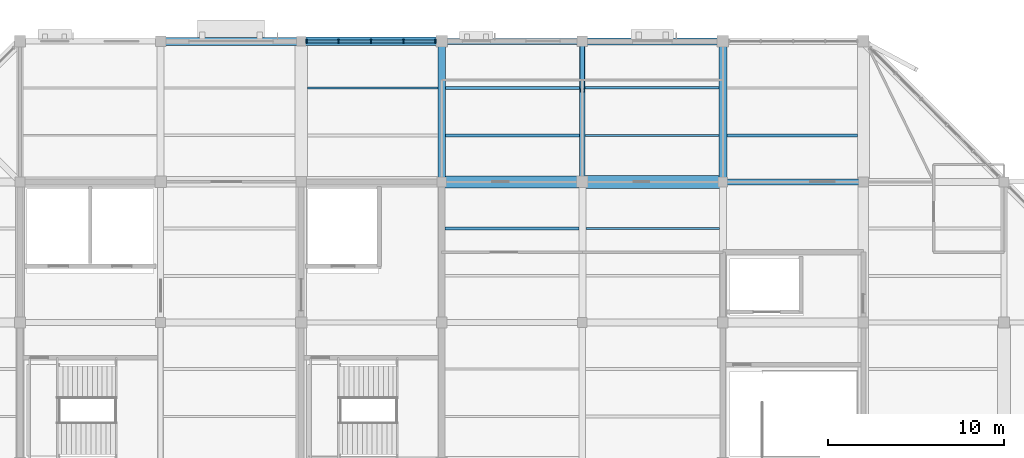
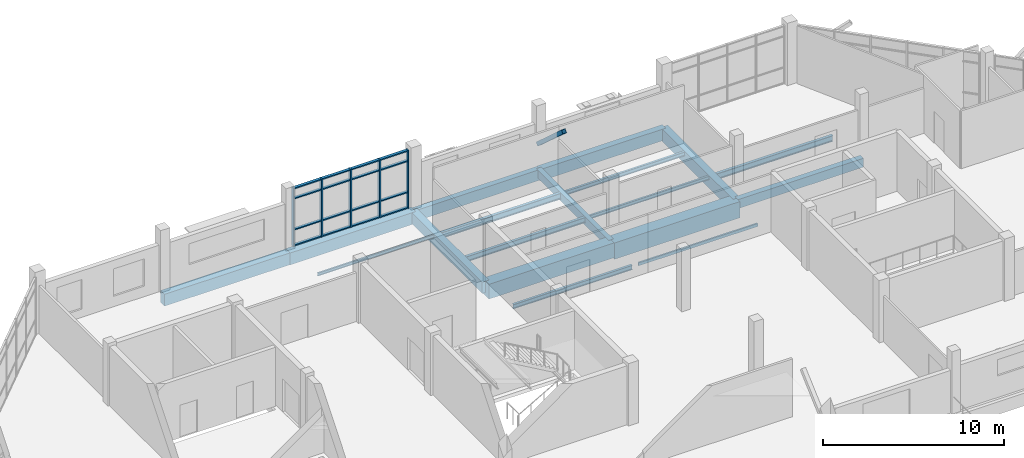
# One storey, part 21 of 72: 22 members, 18 beams, 1 element without a shape of its own.
"""IFC4 building model written with IfcOpenShell, lengths in metres."""

from ifc_helpers import new_model, si_unit, direction, frame, origin, origin_2d, place, context, subcontext, project, spatial, rectangle, hollow_rectangle, i_section, extrude, material, material_profile, profile_set, type_object, element, aggregate, save


model = new_model("IFC4")

# Units and contexts
model_context = context("Model", 3, precision=1e-05, world=origin(), true_north=direction((0.0, 1.0)))
body_context = subcontext(model_context, "Body", "Model", "MODEL_VIEW")
ifc_project = project(units=[si_unit("LENGTHUNIT", "METRE"), si_unit("AREAUNIT", "SQUARE_METRE"), si_unit("VOLUMEUNIT", "CUBIC_METRE"), si_unit("PLANEANGLEUNIT", "RADIAN"), si_unit("MASSUNIT", "GRAM", prefix="KILO")], contexts=[model_context])

# Site, building, storey
site_placement = place(None, origin())
site = spatial("IfcSite", under=ifc_project, at=site_placement, CompositionType="ELEMENT")
building_placement = place(site_placement, origin())
building = spatial("IfcBuilding", under=site, at=building_placement, Name="Tenunan Teduh Sports Hall", CompositionType="ELEMENT")
storey_placement = place(building_placement, frame((0.0, 0.0, 15.0)))
storey = spatial("IfcBuildingStorey", under=building, at=storey_placement, Name="L03", CompositionType="ELEMENT", Elevation=15.0)

# Beams
ifc_material_1 = material(Name="Concrete C40/50", Category="concrete")
ifc_material_profile_1 = material_profile(ifc_material_1, rectangle(XDim=0.300048828125, YDim=0.550048828125, at=origin_2d()), Name="RCB 300x550")
ifc_profile_set_1 = profile_set([ifc_material_profile_1], Name="Concrete C40/50")
beam_type_1 = type_object("IfcBeamType", Name="BM-RC-300x550", PredefinedType="BEAM", material=ifc_profile_set_1)
beam_1_placement = place(storey_placement, frame((46.0, 110.0, -0.514892578125), z_axis=(0.0, 1.0, 0.0), x_axis=(-1.0, 0.0, 0.0)))
element("IfcBeam", 1, at=beam_1_placement, inside=storey, type_object=beam_type_1, Name="BM-B-02-L03-1917", PredefinedType="BEAM", context=body_context, shape_type="SweptSolid", body=[
    extrude(rectangle(XDim=0.300048828125, YDim=0.550048828125, at=origin_2d()), origin(), (0.0, 0.0, 1.0), 8.0),
])
ifc_material_2 = material(Name="Concrete C40/50", Category="concrete")
ifc_material_profile_2 = material_profile(ifc_material_2, rectangle(XDim=0.35009765625, YDim=0.60009765625, at=origin_2d()), Name="RCB 350x600")
ifc_profile_set_2 = profile_set([ifc_material_profile_2], Name="Concrete C40/50")
beam_type_2 = type_object("IfcBeamType", Name="BM-RC-350x600", PredefinedType="BEAM", material=ifc_profile_set_2)
beam_2_placement = place(storey_placement, frame((54.0, 110.0, -0.5400390625), z_axis=(1.0, 0.0, 0.0), x_axis=(0.0, 1.0, 0.0)))
element("IfcBeam", 2, at=beam_2_placement, inside=storey, type_object=beam_type_2, Name="BM-B-04-L03-1868", PredefinedType="BEAM", context=body_context, shape_type="SweptSolid", body=[
    extrude(rectangle(XDim=0.35009765625, YDim=0.60009765625, at=origin_2d()), origin(), (0.0, 0.0, 1.0), 8.0),
])
ifc_material_3 = material(Name="Concrete C40/50", Category="concrete")
ifc_material_profile_3 = material_profile(ifc_material_3, rectangle(XDim=0.449951171875, YDim=0.75, at=origin_2d()), Name="RCB 450x750")
ifc_profile_set_3 = profile_set([ifc_material_profile_3], Name="Concrete C40/50")
beam_type_3 = type_object("IfcBeamType", Name="BM-RC-450x750", PredefinedType="BEAM", material=ifc_profile_set_3)
beam_3_placement = place(storey_placement, frame((38.0, 110.0, -0.614990234375), z_axis=(0.0, 1.0, 0.0), x_axis=(-1.0, 0.0, 0.0)))
element("IfcBeam", 3, at=beam_3_placement, inside=storey, type_object=beam_type_3, Name="BM-B-11-L03-1912", PredefinedType="BEAM", context=body_context, shape_type="SweptSolid", body=[
    extrude(rectangle(XDim=0.449951171875, YDim=0.75, at=origin_2d()), origin(), (0.0, 0.0, 1.0), 8.0),
])
ifc_material_4 = material(Name="Concrete C40/50", Category="concrete")
ifc_material_profile_4 = material_profile(ifc_material_4, rectangle(XDim=0.449951171875, YDim=0.800048828125, at=origin_2d()), Name="RCB 450x800")
ifc_profile_set_4 = profile_set([ifc_material_profile_4], Name="Concrete C40/50")
beam_type_4 = type_object("IfcBeamType", Name="BM-RC-450x800", PredefinedType="BEAM", material=ifc_profile_set_4)
beam_4_placement = place(storey_placement, frame((22.0, 118.0, -0.639892578125), z_axis=(1.0, 0.0, 0.0), x_axis=(0.0, 1.0, 0.0)))
element("IfcBeam", 4, at=beam_4_placement, inside=storey, type_object=beam_type_4, Name="BM-B-12-L03-1872", PredefinedType="BEAM", context=body_context, shape_type="SweptSolid", body=[
    extrude(rectangle(XDim=0.449951171875, YDim=0.800048828125, at=origin_2d()), origin(), (0.0, 0.0, 1.0), 8.0),
])
ifc_material_5 = material(Name="Concrete C40/50", Category="concrete")
ifc_material_profile_5 = material_profile(ifc_material_5, rectangle(XDim=0.449951171875, YDim=0.85009765625, at=origin_2d()), Name="RCB 450x850")
ifc_profile_set_5 = profile_set([ifc_material_profile_5], Name="Concrete C40/50")
beam_type_5 = type_object("IfcBeamType", Name="BM-RC-450x850", PredefinedType="BEAM", material=ifc_profile_set_5)
beam_5_placement = place(storey_placement, frame((54.0, 110.0, -0.6650390625), z_axis=(0.0, 1.0, 0.0), x_axis=(-1.0, 0.0, 0.0)))
element("IfcBeam", 5, at=beam_5_placement, inside=storey, type_object=beam_type_5, Name="BM-B-13-L03-1925", PredefinedType="BEAM", context=body_context, shape_type="SweptSolid", body=[
    extrude(rectangle(XDim=0.449951171875, YDim=0.85009765625, at=origin_2d()), origin(), (0.0, 0.0, 1.0), 8.0),
])
ifc_material_6 = material(Name="Concrete C40/50", Category="concrete")
ifc_material_profile_6 = material_profile(ifc_material_6, rectangle(XDim=0.5, YDim=0.800048828125, at=origin_2d()), Name="RCB 500x800")
ifc_profile_set_6 = profile_set([ifc_material_profile_6], Name="Concrete C40/50")
beam_type_6 = type_object("IfcBeamType", Name="BM-RC-500x800", PredefinedType="BEAM", material=ifc_profile_set_6)
beam_6_placement = place(storey_placement, frame((30.0, 118.0, -0.639892578125), z_axis=(1.0, 0.0, 0.0), x_axis=(0.0, 1.0, 0.0)))
element("IfcBeam", 6, at=beam_6_placement, inside=storey, type_object=beam_type_6, Name="BM-B-14-L03-1873", PredefinedType="BEAM", context=body_context, shape_type="SweptSolid", body=[
    extrude(rectangle(XDim=0.5, YDim=0.800048828125, at=origin_2d()), origin(), (0.0, 0.0, 1.0), 8.0),
])
ifc_material_7 = material(Name="Concrete C40/50", Category="concrete")
ifc_material_profile_7 = material_profile(ifc_material_7, rectangle(XDim=0.699951171875, YDim=1.0, at=origin_2d()), Name="RCB 700x1000")
ifc_profile_set_7 = profile_set([ifc_material_profile_7], Name="Concrete C40/50")
beam_type_7 = type_object("IfcBeamType", Name="BM-RC-700x1000", PredefinedType="SPANDREL", material=ifc_profile_set_7)
beam_7_placement = place(storey_placement, frame((38.0, 110.0, -0.739990234375), z_axis=(1.0, 0.0, 0.0), x_axis=(0.0, 1.0, 0.0)))
element("IfcBeam", 7, at=beam_7_placement, inside=storey, type_object=beam_type_7, Name="BM-B-19-L03-1866", PredefinedType="SPANDREL", context=body_context, shape_type="SweptSolid", body=[
    extrude(rectangle(XDim=0.699951171875, YDim=1.0, at=origin_2d()), origin(), (0.0, 0.0, 1.0), 8.0),
])
ifc_material_8 = material(Name="Concrete C40/50", Category="concrete")
ifc_material_profile_8 = material_profile(ifc_material_8, rectangle(XDim=0.75, YDim=1.10009765625, at=origin_2d()), Name="RCB 750x1100")
ifc_profile_set_8 = profile_set([ifc_material_profile_8], Name="Concrete C40/50")
beam_type_8 = type_object("IfcBeamType", Name="BM-RC-750x1100", PredefinedType="SPANDREL", material=ifc_profile_set_8)
beam_8_placement = place(storey_placement, frame((46.0, 110.0, -0.7900390625), z_axis=(1.0, 0.0, 0.0), x_axis=(0.0, 1.0, 0.0)))
element("IfcBeam", 8, at=beam_8_placement, inside=storey, type_object=beam_type_8, Name="BM-B-20-L03-1867", PredefinedType="SPANDREL", context=body_context, shape_type="SweptSolid", body=[
    extrude(rectangle(XDim=0.75, YDim=1.10009765625, at=origin_2d()), origin(), (0.0, 0.0, 1.0), 8.0),
])
ifc_material_9 = material(Name="Concrete C40/50", Category="concrete")
ifc_material_profile_9 = material_profile(ifc_material_9, rectangle(XDim=0.35009765625, YDim=0.719970703125, at=origin_2d()), Name="TB 350x720")
ifc_profile_set_9 = profile_set([ifc_material_profile_9], Name="Concrete C40/50")
beam_type_9 = type_object("IfcBeamType", Name="BM-TB-350x720", PredefinedType="T_BEAM", material=ifc_profile_set_9)
beam_9_placement = place(storey_placement, frame((38.0, 118.0, -0.60009765625), z_axis=(1.0, 0.0, 0.0), x_axis=(0.0, 1.0, 0.0)))
element("IfcBeam", 9, at=beam_9_placement, inside=storey, type_object=beam_type_9, Name="BM-TB-01-L03-1874", PredefinedType="T_BEAM", context=body_context, shape_type="SweptSolid", body=[
    extrude(rectangle(XDim=0.35009765625, YDim=0.719970703125, at=origin_2d()), origin(), (0.0, 0.0, 1.0), 8.0),
])
ifc_material_10 = material(Name="Concrete C40/50", Category="concrete")
ifc_material_profile_10 = material_profile(ifc_material_10, rectangle(XDim=0.39990234375, YDim=0.780029296875, at=origin_2d()), Name="TB 400x780")
ifc_profile_set_10 = profile_set([ifc_material_profile_10], Name="Concrete C40/50")
beam_type_10 = type_object("IfcBeamType", Name="BM-TB-400x780", PredefinedType="T_BEAM", material=ifc_profile_set_10)
beam_10_placement = place(storey_placement, frame((46.0, 118.0, -0.6298828125), z_axis=(1.0, 0.0, 0.0), x_axis=(0.0, 1.0, 0.0)))
element("IfcBeam", 10, at=beam_10_placement, inside=storey, type_object=beam_type_10, Name="BM-TB-02-L03-1875", PredefinedType="T_BEAM", context=body_context, shape_type="SweptSolid", body=[
    extrude(rectangle(XDim=0.39990234375, YDim=0.780029296875, at=origin_2d()), origin(), (0.0, 0.0, 1.0), 8.0),
])

# Curtain wall, members
ifc_material_11 = material(Name="Anodised aluminium", Category="aluminium")
curtain_wall_type = type_object("IfcCurtainWallType", Name="CW-UNIT-2", PredefinedType="NOTDEFINED", material=ifc_material_11)
curtain_wall_placement = place(storey_placement, origin())
curtain_wall = element("IfcCurtainWall", 11, at=curtain_wall_placement, inside=storey, type_object=curtain_wall_type, Name="CW-CWM-220-L03-225", PredefinedType="NOTDEFINED")
ifc_material_12 = material(Name="Anodised aluminium", Category="aluminium")
ifc_material_profile_11 = material_profile(ifc_material_12, rectangle(XDim=0.074951171875, YDim=0.219970703125, at=origin_2d()), Name="CWM 75x220")
ifc_profile_set_11 = profile_set([ifc_material_profile_11], Name="Anodised aluminium")
member_type_1 = type_object("IfcMemberType", Name="CWM-220", PredefinedType="MULLION", material=ifc_profile_set_11)
member_1_placement = place(storey_placement, frame((30.3125, 118.0, 0.0), z_axis=(0.0, 0.0, 1.0), x_axis=(1.0, 0.0, 0.0)))
member_1 = element("IfcMember", 12, at=member_1_placement, type_object=member_type_1, Name="CW-02 mullion 1", PredefinedType="MULLION", context=body_context, shape_type="SweptSolid", body=[
    extrude(rectangle(XDim=0.074951171875, YDim=0.219970703125, at=origin_2d()), origin(), (0.0, 0.0, 1.0), 3.919921875),
])
member_2_placement = place(storey_placement, frame((32.125, 118.0, 0.0), z_axis=(0.0, 0.0, 1.0), x_axis=(1.0, 0.0, 0.0)))
member_2 = element("IfcMember", 13, at=member_2_placement, type_object=member_type_1, Name="CW-02 mullion 2", PredefinedType="MULLION", context=body_context, shape_type="SweptSolid", body=[
    extrude(rectangle(XDim=0.074951171875, YDim=0.219970703125, at=origin_2d()), origin(), (0.0, 0.0, 1.0), 3.919921875),
])
member_3_placement = place(storey_placement, frame((33.97509765625, 118.0, 0.0), z_axis=(0.0, 0.0, 1.0), x_axis=(1.0, 0.0, 0.0)))
member_3 = element("IfcMember", 14, at=member_3_placement, type_object=member_type_1, Name="CW-02 mullion 3", PredefinedType="MULLION", context=body_context, shape_type="SweptSolid", body=[
    extrude(rectangle(XDim=0.074951171875, YDim=0.219970703125, at=origin_2d()), origin(), (0.0, 0.0, 1.0), 3.919921875),
])
member_4_placement = place(storey_placement, frame((35.824951171875, 118.0, 0.0), z_axis=(0.0, 0.0, 1.0), x_axis=(1.0, 0.0, 0.0)))
member_4 = element("IfcMember", 15, at=member_4_placement, type_object=member_type_1, Name="CW-02 mullion 4", PredefinedType="MULLION", context=body_context, shape_type="SweptSolid", body=[
    extrude(rectangle(XDim=0.074951171875, YDim=0.219970703125, at=origin_2d()), origin(), (0.0, 0.0, 1.0), 3.919921875),
])
member_5_placement = place(storey_placement, frame((37.637451171875, 118.0, 0.0), z_axis=(0.0, 0.0, 1.0), x_axis=(1.0, 0.0, 0.0)))
member_5 = element("IfcMember", 16, at=member_5_placement, type_object=member_type_1, Name="CW-02 mullion 5", PredefinedType="MULLION", context=body_context, shape_type="SweptSolid", body=[
    extrude(rectangle(XDim=0.074951171875, YDim=0.219970703125, at=origin_2d()), origin(), (0.0, 0.0, 1.0), 3.919921875),
])
ifc_material_13 = material(Name="Anodised aluminium", Category="aluminium")
ifc_material_profile_12 = material_profile(ifc_material_13, rectangle(XDim=0.074951171875, YDim=0.179931640625, at=origin_2d()), Name="CWT 75x180")
ifc_profile_set_12 = profile_set([ifc_material_profile_12], Name="Anodised aluminium")
member_type_2 = type_object("IfcMemberType", Name="CWT-180", PredefinedType="USERDEFINED", material=ifc_profile_set_12)
member_6_placement = place(storey_placement, frame((30.35009765625, 118.0, 0.03759765625), z_axis=(1.0, 0.0, 0.0), x_axis=(0.0, 0.0, 1.0)))
member_6 = element("IfcMember", 17, at=member_6_placement, type_object=member_type_2, Name="CW-02 transom 1.1", ObjectType="TRANSOM", PredefinedType="USERDEFINED", context=body_context, shape_type="SweptSolid", body=[
    extrude(rectangle(XDim=0.074951171875, YDim=0.179931640625, at=origin_2d()), origin(), (0.0, 0.0, 1.0), 1.7373046875),
])
member_7_placement = place(storey_placement, frame((30.35009765625, 118.0, 1.10009765625), z_axis=(1.0, 0.0, 0.0), x_axis=(0.0, 0.0, 1.0)))
member_7 = element("IfcMember", 18, at=member_7_placement, type_object=member_type_2, Name="CW-02 transom 1.2", ObjectType="TRANSOM", PredefinedType="USERDEFINED", context=body_context, shape_type="SweptSolid", body=[
    extrude(rectangle(XDim=0.074951171875, YDim=0.179931640625, at=origin_2d()), origin(), (0.0, 0.0, 1.0), 1.7373046875),
])
member_8_placement = place(storey_placement, frame((30.35009765625, 118.0, 3.199951171875), z_axis=(1.0, 0.0, 0.0), x_axis=(0.0, 0.0, 1.0)))
member_8 = element("IfcMember", 19, at=member_8_placement, type_object=member_type_2, Name="CW-02 transom 1.3", ObjectType="TRANSOM", PredefinedType="USERDEFINED", context=body_context, shape_type="SweptSolid", body=[
    extrude(rectangle(XDim=0.074951171875, YDim=0.179931640625, at=origin_2d()), origin(), (0.0, 0.0, 1.0), 1.7373046875),
])
member_9_placement = place(storey_placement, frame((30.35009765625, 118.0, 3.882568359375), z_axis=(1.0, 0.0, 0.0), x_axis=(0.0, 0.0, 1.0)))
member_9 = element("IfcMember", 20, at=member_9_placement, type_object=member_type_2, Name="CW-02 transom 1.4", ObjectType="TRANSOM", PredefinedType="USERDEFINED", context=body_context, shape_type="SweptSolid", body=[
    extrude(rectangle(XDim=0.074951171875, YDim=0.179931640625, at=origin_2d()), origin(), (0.0, 0.0, 1.0), 1.7373046875),
])
member_10_placement = place(storey_placement, frame((32.16259765625, 118.0, 0.03759765625), z_axis=(1.0, 0.0, 0.0), x_axis=(0.0, 0.0, 1.0)))
member_10 = element("IfcMember", 21, at=member_10_placement, type_object=member_type_2, Name="CW-02 transom 2.1", ObjectType="TRANSOM", PredefinedType="USERDEFINED", context=body_context, shape_type="SweptSolid", body=[
    extrude(rectangle(XDim=0.074951171875, YDim=0.179931640625, at=origin_2d()), origin(), (0.0, 0.0, 1.0), 1.77490234375),
])
member_11_placement = place(storey_placement, frame((32.16259765625, 118.0, 1.10009765625), z_axis=(1.0, 0.0, 0.0), x_axis=(0.0, 0.0, 1.0)))
member_11 = element("IfcMember", 22, at=member_11_placement, type_object=member_type_2, Name="CW-02 transom 2.2", ObjectType="TRANSOM", PredefinedType="USERDEFINED", context=body_context, shape_type="SweptSolid", body=[
    extrude(rectangle(XDim=0.074951171875, YDim=0.179931640625, at=origin_2d()), origin(), (0.0, 0.0, 1.0), 1.77490234375),
])
member_12_placement = place(storey_placement, frame((32.16259765625, 118.0, 3.199951171875), z_axis=(1.0, 0.0, 0.0), x_axis=(0.0, 0.0, 1.0)))
member_12 = element("IfcMember", 23, at=member_12_placement, type_object=member_type_2, Name="CW-02 transom 2.3", ObjectType="TRANSOM", PredefinedType="USERDEFINED", context=body_context, shape_type="SweptSolid", body=[
    extrude(rectangle(XDim=0.074951171875, YDim=0.179931640625, at=origin_2d()), origin(), (0.0, 0.0, 1.0), 1.77490234375),
])
member_13_placement = place(storey_placement, frame((32.16259765625, 118.0, 3.882568359375), z_axis=(1.0, 0.0, 0.0), x_axis=(0.0, 0.0, 1.0)))
member_13 = element("IfcMember", 24, at=member_13_placement, type_object=member_type_2, Name="CW-02 transom 2.4", ObjectType="TRANSOM", PredefinedType="USERDEFINED", context=body_context, shape_type="SweptSolid", body=[
    extrude(rectangle(XDim=0.074951171875, YDim=0.179931640625, at=origin_2d()), origin(), (0.0, 0.0, 1.0), 1.77490234375),
])
member_14_placement = place(storey_placement, frame((34.012451171875, 118.0, 0.03759765625), z_axis=(1.0, 0.0, 0.0), x_axis=(0.0, 0.0, 1.0)))
member_14 = element("IfcMember", 25, at=member_14_placement, type_object=member_type_2, Name="CW-02 transom 3.1", ObjectType="TRANSOM", PredefinedType="USERDEFINED", context=body_context, shape_type="SweptSolid", body=[
    extrude(rectangle(XDim=0.074951171875, YDim=0.179931640625, at=origin_2d()), origin(), (0.0, 0.0, 1.0), 1.775146484375),
])
member_15_placement = place(storey_placement, frame((34.012451171875, 118.0, 1.10009765625), z_axis=(1.0, 0.0, 0.0), x_axis=(0.0, 0.0, 1.0)))
member_15 = element("IfcMember", 26, at=member_15_placement, type_object=member_type_2, Name="CW-02 transom 3.2", ObjectType="TRANSOM", PredefinedType="USERDEFINED", context=body_context, shape_type="SweptSolid", body=[
    extrude(rectangle(XDim=0.074951171875, YDim=0.179931640625, at=origin_2d()), origin(), (0.0, 0.0, 1.0), 1.775146484375),
])
member_16_placement = place(storey_placement, frame((34.012451171875, 118.0, 3.199951171875), z_axis=(1.0, 0.0, 0.0), x_axis=(0.0, 0.0, 1.0)))
member_16 = element("IfcMember", 27, at=member_16_placement, type_object=member_type_2, Name="CW-02 transom 3.3", ObjectType="TRANSOM", PredefinedType="USERDEFINED", context=body_context, shape_type="SweptSolid", body=[
    extrude(rectangle(XDim=0.074951171875, YDim=0.179931640625, at=origin_2d()), origin(), (0.0, 0.0, 1.0), 1.775146484375),
])
member_17_placement = place(storey_placement, frame((34.012451171875, 118.0, 3.882568359375), z_axis=(1.0, 0.0, 0.0), x_axis=(0.0, 0.0, 1.0)))
member_17 = element("IfcMember", 28, at=member_17_placement, type_object=member_type_2, Name="CW-02 transom 3.4", ObjectType="TRANSOM", PredefinedType="USERDEFINED", context=body_context, shape_type="SweptSolid", body=[
    extrude(rectangle(XDim=0.074951171875, YDim=0.179931640625, at=origin_2d()), origin(), (0.0, 0.0, 1.0), 1.775146484375),
])
member_18_placement = place(storey_placement, frame((35.862548828125, 118.0, 0.03759765625), z_axis=(1.0, 0.0, 0.0), x_axis=(0.0, 0.0, 1.0)))
member_18 = element("IfcMember", 29, at=member_18_placement, type_object=member_type_2, Name="CW-02 transom 4.1", ObjectType="TRANSOM", PredefinedType="USERDEFINED", context=body_context, shape_type="SweptSolid", body=[
    extrude(rectangle(XDim=0.074951171875, YDim=0.179931640625, at=origin_2d()), origin(), (0.0, 0.0, 1.0), 1.737548828125),
])
member_19_placement = place(storey_placement, frame((35.862548828125, 118.0, 1.10009765625), z_axis=(1.0, 0.0, 0.0), x_axis=(0.0, 0.0, 1.0)))
member_19 = element("IfcMember", 30, at=member_19_placement, type_object=member_type_2, Name="CW-02 transom 4.2", ObjectType="TRANSOM", PredefinedType="USERDEFINED", context=body_context, shape_type="SweptSolid", body=[
    extrude(rectangle(XDim=0.074951171875, YDim=0.179931640625, at=origin_2d()), origin(), (0.0, 0.0, 1.0), 1.737548828125),
])
member_20_placement = place(storey_placement, frame((35.862548828125, 118.0, 3.199951171875), z_axis=(1.0, 0.0, 0.0), x_axis=(0.0, 0.0, 1.0)))
member_20 = element("IfcMember", 31, at=member_20_placement, type_object=member_type_2, Name="CW-02 transom 4.3", ObjectType="TRANSOM", PredefinedType="USERDEFINED", context=body_context, shape_type="SweptSolid", body=[
    extrude(rectangle(XDim=0.074951171875, YDim=0.179931640625, at=origin_2d()), origin(), (0.0, 0.0, 1.0), 1.737548828125),
])
member_21_placement = place(storey_placement, frame((35.862548828125, 118.0, 3.882568359375), z_axis=(1.0, 0.0, 0.0), x_axis=(0.0, 0.0, 1.0)))
member_21 = element("IfcMember", 32, at=member_21_placement, type_object=member_type_2, Name="CW-02 transom 4.4", ObjectType="TRANSOM", PredefinedType="USERDEFINED", context=body_context, shape_type="SweptSolid", body=[
    extrude(rectangle(XDim=0.074951171875, YDim=0.179931640625, at=origin_2d()), origin(), (0.0, 0.0, 1.0), 1.737548828125),
])
aggregate(curtain_wall, [member_1, member_2, member_3, member_4, member_5, member_6, member_7, member_8, member_9, member_10, member_11, member_12, member_13, member_14, member_15, member_16, member_17, member_18, member_19, member_20, member_21])

# Beams
ifc_material_14 = material(Name="Steel S355", Category="steel")
ifc_material_profile_13 = material_profile(ifc_material_14, i_section(OverallWidth=0.10009765625, OverallDepth=0.199951171875, WebThickness=0.005615234375, FlangeThickness=0.008544921875, FilletRadius=0.011962890625, at=origin_2d()), Name="IPE 200")
ifc_profile_set_13 = profile_set([ifc_material_profile_13], Name="Steel S355")
beam_type_11 = type_object("IfcBeamType", Name="JST-IPE200", PredefinedType="JOIST", material=ifc_profile_set_13)
beam_11_placement = place(storey_placement, frame((30.35009765625, 115.35009765625, -0.340087890625), z_axis=(1.0, 0.0, 0.0), x_axis=(0.0, 1.0, 0.0)))
element("IfcBeam", 33, at=beam_11_placement, inside=storey, type_object=beam_type_11, Name="BM-J-01-L03-1983", PredefinedType="JOIST", context=body_context, shape_type="SweptSolid", body=[
    extrude(i_section(OverallWidth=0.10009765625, OverallDepth=0.199951171875, WebThickness=0.005615234375, FlangeThickness=0.008544921875, FilletRadius=0.011962890625, at=origin_2d()), origin(), (0.0, 0.0, 1.0), 7.4248046875),
])
ifc_material_15 = material(Name="Steel S355", Category="steel")
ifc_material_profile_14 = material_profile(ifc_material_15, i_section(OverallWidth=0.1201171875, OverallDepth=0.239990234375, WebThickness=0.006103515625, FlangeThickness=0.009765625, FilletRadius=0.014892578125, at=origin_2d()), Name="IPE 240")
ifc_profile_set_14 = profile_set([ifc_material_profile_14], Name="Steel S355")
beam_type_12 = type_object("IfcBeamType", Name="JST-IPE240", PredefinedType="JOIST", material=ifc_profile_set_14)
beam_12_placement = place(storey_placement, frame((46.14990234375, 112.64990234375, -0.360107421875), z_axis=(1.0, 0.0, 0.0), x_axis=(0.0, 1.0, 0.0)))
element("IfcBeam", 34, at=beam_12_placement, inside=storey, type_object=beam_type_12, Name="BM-J-02-L03-2000", PredefinedType="JOIST", context=body_context, shape_type="SweptSolid", body=[
    extrude(i_section(OverallWidth=0.1201171875, OverallDepth=0.239990234375, WebThickness=0.006103515625, FlangeThickness=0.009765625, FilletRadius=0.014892578125, at=origin_2d()), origin(), (0.0, 0.0, 1.0), 7.625),
])
ifc_material_16 = material(Name="Steel S355", Category="steel")
ifc_material_profile_15 = material_profile(ifc_material_16, i_section(OverallWidth=0.135009765625, OverallDepth=0.27001953125, WebThickness=0.006591796875, FlangeThickness=0.01025390625, FilletRadius=0.014892578125, at=origin_2d()), Name="IPE 270")
ifc_profile_set_15 = profile_set([ifc_material_profile_15], Name="Steel S355")
beam_type_13 = type_object("IfcBeamType", Name="JST-IPE270", PredefinedType="JOIST", material=ifc_profile_set_15)
beam_13_placement = place(storey_placement, frame((46.14990234375, 115.35009765625, -0.375), z_axis=(1.0, 0.0, 0.0), x_axis=(0.0, 1.0, 0.0)))
element("IfcBeam", 35, at=beam_13_placement, inside=storey, type_object=beam_type_13, Name="BM-J-03-L03-2001", PredefinedType="JOIST", context=body_context, shape_type="SweptSolid", body=[
    extrude(i_section(OverallWidth=0.135009765625, OverallDepth=0.27001953125, WebThickness=0.006591796875, FlangeThickness=0.01025390625, FilletRadius=0.014892578125, at=origin_2d()), origin(), (0.0, 0.0, 1.0), 7.625),
])
ifc_material_17 = material(Name="Steel S355", Category="steel")
ifc_material_profile_16 = material_profile(ifc_material_17, i_section(OverallWidth=0.14990234375, OverallDepth=0.300048828125, WebThickness=0.007080078125, FlangeThickness=0.0107421875, FilletRadius=0.014892578125, at=origin_2d()), Name="IPE 300")
ifc_profile_set_16 = profile_set([ifc_material_profile_16], Name="Steel S355")
beam_type_14 = type_object("IfcBeamType", Name="JST-IPE300", PredefinedType="JOIST", material=ifc_profile_set_16)
beam_14_placement = place(storey_placement, frame((38.199951171875, 107.35009765625, -0.389892578125), z_axis=(1.0, 0.0, 0.0), x_axis=(0.0, 1.0, 0.0)))
element("IfcBeam", 36, at=beam_14_placement, inside=storey, type_object=beam_type_14, Name="BM-J-04-L03-1991", PredefinedType="JOIST", context=body_context, shape_type="SweptSolid", body=[
    extrude(i_section(OverallWidth=0.14990234375, OverallDepth=0.300048828125, WebThickness=0.007080078125, FlangeThickness=0.0107421875, FilletRadius=0.014892578125, at=origin_2d()), origin(), (0.0, 0.0, 1.0), 7.60009765625),
])
ifc_material_18 = material(Name="Steel S355", Category="steel")
ifc_material_profile_17 = material_profile(ifc_material_18, i_section(OverallWidth=0.169921875, OverallDepth=0.360107421875, WebThickness=0.008056640625, FlangeThickness=0.0126953125, FilletRadius=0.01806640625, at=origin_2d()), Name="IPE 360")
ifc_profile_set_17 = profile_set([ifc_material_profile_17], Name="Steel S355")
beam_type_15 = type_object("IfcBeamType", Name="JST-IPE360", PredefinedType="JOIST", material=ifc_profile_set_17)
beam_15_placement = place(storey_placement, frame((38.22509765625, 112.64990234375, -0.419921875), z_axis=(1.0, 0.0, 0.0), x_axis=(0.0, 1.0, 0.0)))
element("IfcBeam", 37, at=beam_15_placement, inside=storey, type_object=beam_type_15, Name="BM-J-05-L03-1992", PredefinedType="JOIST", context=body_context, shape_type="SweptSolid", body=[
    extrude(i_section(OverallWidth=0.169921875, OverallDepth=0.360107421875, WebThickness=0.008056640625, FlangeThickness=0.0126953125, FilletRadius=0.01806640625, at=origin_2d()), origin(), (0.0, 0.0, 1.0), 7.625),
])
ifc_material_19 = material(Name="Steel S355", Category="steel")
ifc_material_profile_18 = material_profile(ifc_material_19, i_section(OverallWidth=0.179931640625, OverallDepth=0.39990234375, WebThickness=0.008544921875, FlangeThickness=0.013427734375, FilletRadius=0.02099609375, at=origin_2d()), Name="IPE 400")
ifc_profile_set_18 = profile_set([ifc_material_profile_18], Name="Steel S355")
beam_type_16 = type_object("IfcBeamType", Name="JST-IPE400", PredefinedType="JOIST", material=ifc_profile_set_18)
beam_16_placement = place(storey_placement, frame((38.22509765625, 115.35009765625, -0.43994140625), z_axis=(1.0, 0.0, 0.0), x_axis=(0.0, 1.0, 0.0)))
element("IfcBeam", 38, at=beam_16_placement, inside=storey, type_object=beam_type_16, Name="BM-J-06-L03-1993", PredefinedType="JOIST", context=body_context, shape_type="SweptSolid", body=[
    extrude(i_section(OverallWidth=0.179931640625, OverallDepth=0.39990234375, WebThickness=0.008544921875, FlangeThickness=0.013427734375, FilletRadius=0.02099609375, at=origin_2d()), origin(), (0.0, 0.0, 1.0), 7.625),
])
beam_17_placement = place(storey_placement, frame((54.22509765625, 112.64990234375, -0.43994140625), z_axis=(1.0, 0.0, 0.0), x_axis=(0.0, 1.0, 0.0)))
element("IfcBeam", 39, at=beam_17_placement, inside=storey, type_object=beam_type_16, Name="BM-J-06-L03-2004", PredefinedType="JOIST", context=body_context, shape_type="SweptSolid", body=[
    extrude(i_section(OverallWidth=0.179931640625, OverallDepth=0.39990234375, WebThickness=0.008544921875, FlangeThickness=0.013427734375, FilletRadius=0.02099609375, at=origin_2d()), origin(), (0.0, 0.0, 1.0), 7.4248046875),
])

# Member
ifc_material_20 = material(Name="Steel S355", Category="steel")
ifc_material_profile_19 = material_profile(ifc_material_20, hollow_rectangle(XDim=0.25, YDim=0.25, WallThickness=0.012451171875, at=origin_2d()), Name="SHS 250x250x12.5")
ifc_profile_set_19 = profile_set([ifc_material_profile_19], Name="Steel S355")
member_type_3 = type_object("IfcMemberType", Name="MEM-ST-SHS250", PredefinedType="STRUT", material=ifc_profile_set_19)
member_22_placement = place(storey_placement, frame((46.0, 118.0, 1.39990234375), z_axis=(0.0, -0.743297368798, 0.668961150993), x_axis=(1.0, 0.0, 0.0)))
element("IfcMember", 40, at=member_22_placement, inside=storey, type_object=member_type_3, Name="MEM-VS-01-L03-1281", PredefinedType="STRUT", context=body_context, shape_type="SweptSolid", body=[
    extrude(hollow_rectangle(XDim=0.25, YDim=0.25, WallThickness=0.012451171875, at=origin_2d()), origin(), (0.0, 0.0, 1.0), 3.76708984375),
])

# Beam
ifc_material_21 = material(Name="Steel S355", Category="steel")
ifc_material_profile_20 = material_profile(ifc_material_21, hollow_rectangle(XDim=0.10009765625, YDim=0.199951171875, WallThickness=0.008056640625, at=origin_2d()), Name="RHS 200x100x8.0")
ifc_profile_set_20 = profile_set([ifc_material_profile_20], Name="Steel S355")
beam_type_17 = type_object("IfcBeamType", Name="RBM-RHS200", PredefinedType="JOIST", material=ifc_profile_set_20)
beam_18_placement = place(storey_placement, frame((46.199951171875, 107.35009765625, -0.340087890625), z_axis=(1.0, 0.0, 0.0), x_axis=(0.0, 1.0, 0.0)))
element("IfcBeam", 41, at=beam_18_placement, inside=storey, type_object=beam_type_17, Name="Perimeter Ring Beam BM-RB-05-L03-1999", PredefinedType="JOIST", context=body_context, shape_type="SweptSolid", body=[
    extrude(hollow_rectangle(XDim=0.10009765625, YDim=0.199951171875, WallThickness=0.008056640625, at=origin_2d()), origin(), (0.0, 0.0, 1.0), 7.60009765625),
])

save(model, "model.ifc")
